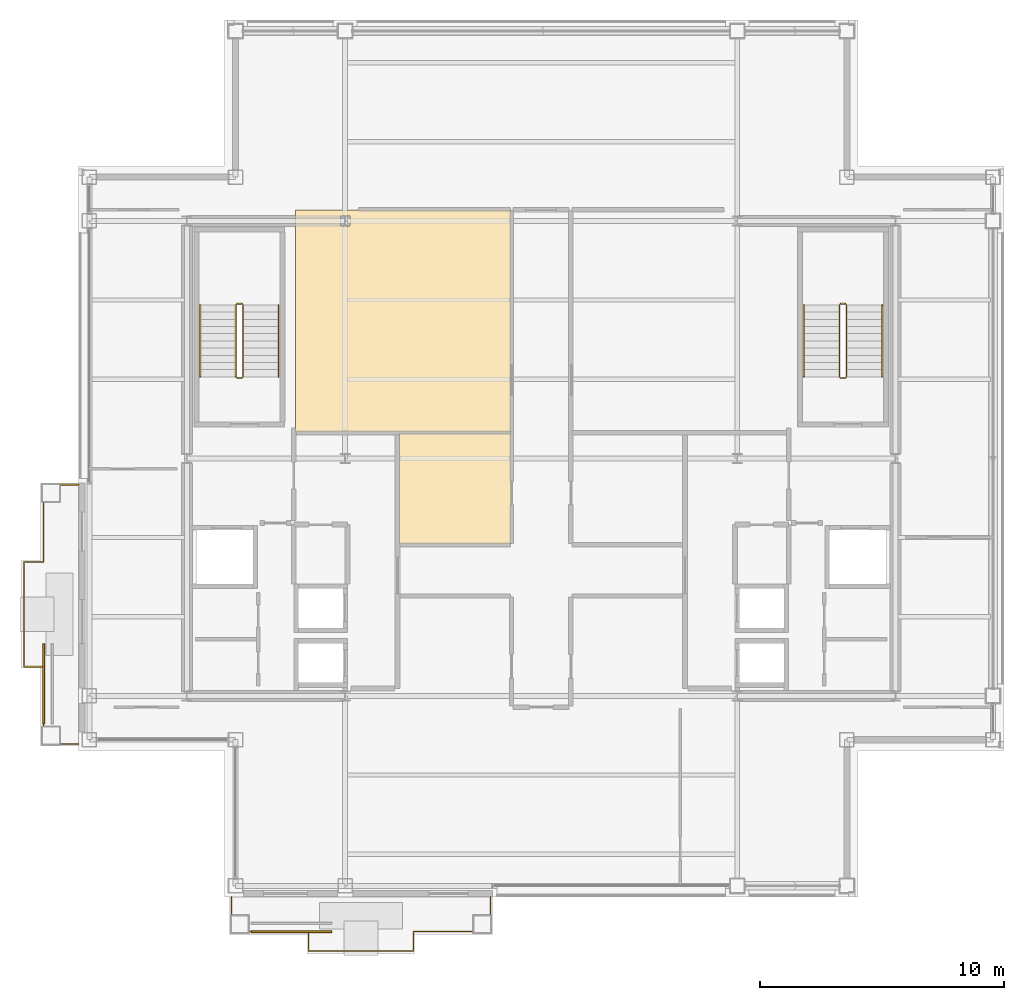
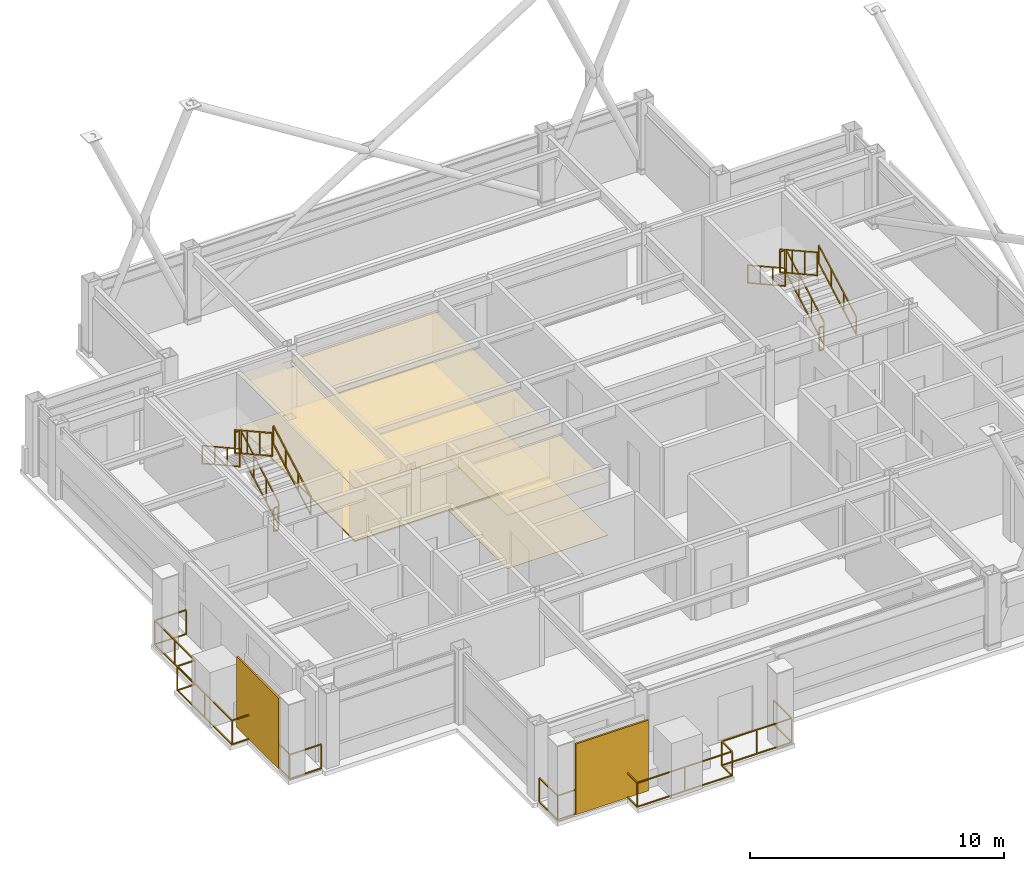
# One storey, part 26 of 27: 14 railings, 4 coverings, 2 shading devices.
"""IFC4 building model written with IfcOpenShell, lengths in metres."""

from ifc_helpers import new_model, si_unit, direction, frame, origin, origin_2d, place, context, subcontext, project, spatial, polyline, rectangle, outline, extrude, material, layer, layer_set, type_object, element, save


model = new_model("IFC4")

# Units and contexts
model_context = context("Model", 3, precision=1e-05, world=origin(), true_north=direction((0.0, 1.0)))
body_context = subcontext(model_context, "Body", "Model", "MODEL_VIEW")
ifc_project = project(units=[si_unit("LENGTHUNIT", "METRE"), si_unit("AREAUNIT", "SQUARE_METRE"), si_unit("VOLUMEUNIT", "CUBIC_METRE"), si_unit("PLANEANGLEUNIT", "RADIAN"), si_unit("MASSUNIT", "GRAM", prefix="KILO")], contexts=[model_context])

# Site, building, storey
site_placement = place(None, origin())
site = spatial("IfcSite", under=ifc_project, at=site_placement, CompositionType="ELEMENT")
building_placement = place(site_placement, origin())
building = spatial("IfcBuilding", under=site, at=building_placement, Name="Brelmoor Portico Tower", CompositionType="ELEMENT")
storey_placement = place(building_placement, frame((0.0, 0.0, 258.0)))
storey = spatial("IfcBuildingStorey", under=building, at=storey_placement, Name="L68", CompositionType="ELEMENT", Elevation=258.0)

# Coverings
ifc_material_1 = material(Name="Perforated Mineral-Fibre Acoustic Ceiling Tile", Category="gypsum")
ifc_layer_1 = layer(ifc_material_1, 0.02490234375)
ifc_layer_set_1 = layer_set([ifc_layer_1], Name="Perforated Mineral-Fibre Acoustic Ceiling Tile")
covering_type_1 = type_object("IfcCoveringType", Name="CV-CEIL-GYPSUM-25", PredefinedType="CEILING", material=ifc_layer_set_1)
covering_1_placement = place(storey_placement, frame((0.0, 0.0, 2.550048828125)))
element("IfcCovering", 1, at=covering_1_placement, inside=storey, type_object=covering_type_1, Name="L68 Acoustic Suspended Ceiling 01", PredefinedType="CEILING", context=body_context, shape_type="SweptSolid", body=[
    extrude(outline(polyline([(-10.080078125, 10.18994140625), (-8.5, 10.18994140625), (-8.5, 10.199951171875), (-7.60009765625, 10.199951171875), (-7.60009765625, 10.18994140625), (-1.239990234375, 10.18994140625), (-1.239990234375, 1.090087890625), (-10.080078125, 1.090087890625), (-10.080078125, 10.18994140625)]), holes=[polyline([(-7.85009765625, 9.550048828125), (-7.85009765625, 9.949951171875), (-8.25, 9.949951171875), (-8.25, 9.550048828125), (-7.85009765625, 9.550048828125)])]), origin(), (0.0, 0.0, 1.0), 0.02490234375),
])
ifc_material_2 = material(Name="Micro-Perforated Aluminium Clip-In Ceiling", Category="aluminium")
ifc_layer_2 = layer(ifc_material_2, 0.031982421875)
ifc_layer_set_2 = layer_set([ifc_layer_2], Name="Micro-Perforated Aluminium Clip-In Ceiling")
covering_type_2 = type_object("IfcCoveringType", Name="CV-CEIL-METAL-32", PredefinedType="CEILING", material=ifc_layer_set_2)
covering_2_placement = place(storey_placement, frame((0.0, 0.0, 2.550048828125)))
element("IfcCovering", 2, at=covering_2_placement, inside=storey, type_object=covering_type_2, Name="L68 Acoustic Suspended Ceiling 02", PredefinedType="CEILING", context=body_context, shape_type="SweptSolid", body=[
    extrude(outline(polyline([(-5.820068359375, -3.510009765625), (-5.820068359375, 1.0400390625), (-1.239990234375, 1.0400390625), (-1.239990234375, -3.510009765625), (-5.820068359375, -3.510009765625)])), origin(), (0.0, 0.0, 1.0), 0.031982421875),
])
ifc_material_3 = material(Name="Calcium-Sulphate Raised Access Floor Panel", Category="steel")
ifc_layer_3 = layer(ifc_material_3, 0.06005859375)
ifc_layer_set_3 = layer_set([ifc_layer_3], Name="Calcium-Sulphate Raised Access Floor Panel")
covering_type_3 = type_object("IfcCoveringType", Name="CV-FLR-ACCESS-60", PredefinedType="FLOORING", material=ifc_layer_set_3)
covering_3_placement = place(storey_placement, origin())
element("IfcCovering", 3, at=covering_3_placement, inside=storey, type_object=covering_type_3, Name="L68 Architectural Floor Finish 01", PredefinedType="FLOORING", context=body_context, shape_type="SweptSolid", body=[
    extrude(outline(polyline([(-10.080078125, 10.18994140625), (-8.5, 10.18994140625), (-8.5, 10.199951171875), (-7.60009765625, 10.199951171875), (-7.60009765625, 10.18994140625), (-1.239990234375, 10.18994140625), (-1.239990234375, 1.090087890625), (-10.080078125, 1.090087890625), (-10.080078125, 10.18994140625)]), holes=[polyline([(-7.85009765625, 9.550048828125), (-7.85009765625, 9.949951171875), (-8.25, 9.949951171875), (-8.25, 9.550048828125), (-7.85009765625, 9.550048828125)])]), origin(), (0.0, 0.0, 1.0), 0.06005859375),
])
ifc_material_4 = material(Name="Solution-Dyed Nylon Acoustic Carpet Tile", Category="textile")
ifc_layer_4 = layer(ifc_material_4, 0.013916015625)
ifc_layer_set_4 = layer_set([ifc_layer_4], Name="Solution-Dyed Nylon Acoustic Carpet Tile")
covering_type_4 = type_object("IfcCoveringType", Name="CV-FLR-CARPET-14", PredefinedType="FLOORING", material=ifc_layer_set_4)
covering_4_placement = place(storey_placement, origin())
element("IfcCovering", 4, at=covering_4_placement, inside=storey, type_object=covering_type_4, Name="L68 Architectural Floor Finish 02", PredefinedType="FLOORING", context=body_context, shape_type="SweptSolid", body=[
    extrude(outline(polyline([(-5.820068359375, -3.510009765625), (-5.820068359375, 1.0400390625), (-1.239990234375, 1.0400390625), (-1.239990234375, -3.510009765625), (-5.820068359375, -3.510009765625)])), origin(), (0.0, 0.0, 1.0), 0.013916015625),
])

# Railings
ifc_material_5 = material(Name="Perforated Pale Champagne Aluminium Fretwork Guard", Category="aluminium")
railing_type_1 = type_object("IfcRailingType", Name="RL-BALUSTRADE-1200", PredefinedType="BALUSTRADE", material=ifc_material_5)
railing_1_placement = place(storey_placement, frame((-12.719970703125, -18.0, 0.0)))
element("IfcRailing", 5, at=railing_1_placement, inside=storey, type_object=railing_type_1, Name="L68 Tree Balcony Fretwork Balustrade S", PredefinedType="BALUSTRADE", context=body_context, shape_type="SweptSolid", body=[
    extrude(rectangle(XDim=0.048095703125, YDim=0.048095703125, at=origin_2d()), frame((0.0, 0.0, 1.17578125), z_axis=(0.0, -1.0, 0.0), x_axis=(1.0, 0.0, 0.0)), (0.0, 0.0, 1.0), 1.429931640625),
    extrude(rectangle(XDim=0.048095703125, YDim=0.048095703125, at=origin_2d()), frame((0.0, 0.0, 0.02392578125), z_axis=(0.0, -1.0, 0.0), x_axis=(1.0, 0.0, 0.0)), (0.0, 0.0, 1.0), 1.429931640625),
    extrude(rectangle(XDim=0.048095703125, YDim=0.048095703125, at=origin_2d()), frame((0.0, -1.429931640625, 1.17578125), z_axis=(1.0, 0.0, 0.0), x_axis=(0.0, 1.0, 0.0)), (0.0, 0.0, 1.0), 3.169921875),
    extrude(rectangle(XDim=0.048095703125, YDim=0.048095703125, at=origin_2d()), frame((0.0, -1.429931640625, 0.02392578125), z_axis=(1.0, 0.0, 0.0), x_axis=(0.0, 1.0, 0.0)), (0.0, 0.0, 1.0), 3.169921875),
    extrude(rectangle(XDim=0.048095703125, YDim=0.048095703125, at=origin_2d()), frame((3.169921875, -1.429931640625, 1.17578125), z_axis=(0.0, -1.0, 0.0), x_axis=(1.0, 0.0, 0.0)), (0.0, 0.0, 1.0), 0.800048828125),
    extrude(rectangle(XDim=0.048095703125, YDim=0.048095703125, at=origin_2d()), frame((3.169921875, -1.429931640625, 0.02392578125), z_axis=(0.0, -1.0, 0.0), x_axis=(1.0, 0.0, 0.0)), (0.0, 0.0, 1.0), 0.800048828125),
    extrude(rectangle(XDim=0.048095703125, YDim=0.048095703125, at=origin_2d()), frame((3.169921875, -2.22998046875, 1.17578125), z_axis=(1.0, 0.0, 0.0), x_axis=(0.0, 1.0, 0.0)), (0.0, 0.0, 1.0), 4.300048828125),
    extrude(rectangle(XDim=0.048095703125, YDim=0.048095703125, at=origin_2d()), frame((3.169921875, -2.22998046875, 0.02392578125), z_axis=(1.0, 0.0, 0.0), x_axis=(0.0, 1.0, 0.0)), (0.0, 0.0, 1.0), 4.300048828125),
    extrude(rectangle(XDim=0.048095703125, YDim=0.048095703125, at=origin_2d()), frame((7.469970703125, -2.22998046875, 1.17578125), z_axis=(0.0, 1.0, 0.0), x_axis=(-1.0, 0.0, 0.0)), (0.0, 0.0, 1.0), 0.800048828125),
    extrude(rectangle(XDim=0.048095703125, YDim=0.048095703125, at=origin_2d()), frame((7.469970703125, -2.22998046875, 0.02392578125), z_axis=(0.0, 1.0, 0.0), x_axis=(-1.0, 0.0, 0.0)), (0.0, 0.0, 1.0), 0.800048828125),
    extrude(rectangle(XDim=0.048095703125, YDim=0.048095703125, at=origin_2d()), frame((7.469970703125, -1.429931640625, 1.17578125), z_axis=(1.0, 0.0, 0.0), x_axis=(0.0, 1.0, 0.0)), (0.0, 0.0, 1.0), 3.169921875),
    extrude(rectangle(XDim=0.048095703125, YDim=0.048095703125, at=origin_2d()), frame((7.469970703125, -1.429931640625, 0.02392578125), z_axis=(1.0, 0.0, 0.0), x_axis=(0.0, 1.0, 0.0)), (0.0, 0.0, 1.0), 3.169921875),
    extrude(rectangle(XDim=0.048095703125, YDim=0.048095703125, at=origin_2d()), frame((10.639892578125, -1.429931640625, 1.17578125), z_axis=(0.0, 1.0, 0.0), x_axis=(-1.0, 0.0, 0.0)), (0.0, 0.0, 1.0), 1.429931640625),
    extrude(rectangle(XDim=0.048095703125, YDim=0.048095703125, at=origin_2d()), frame((10.639892578125, -1.429931640625, 0.02392578125), z_axis=(0.0, 1.0, 0.0), x_axis=(-1.0, 0.0, 0.0)), (0.0, 0.0, 1.0), 1.429931640625),
    extrude(rectangle(XDim=0.0419921875, YDim=0.0419921875, at=origin_2d()), origin(), (0.0, 0.0, 1.0), 1.15185546875),
    extrude(rectangle(XDim=0.0419921875, YDim=0.0419921875, at=origin_2d()), frame((0.0, -1.429931640625, 0.0)), (0.0, 0.0, 1.0), 1.15185546875),
    extrude(rectangle(XDim=0.0419921875, YDim=0.0419921875, at=origin_2d()), frame((1.5849609375, -1.429931640625, 0.0)), (0.0, 0.0, 1.0), 1.15185546875),
    extrude(rectangle(XDim=0.0419921875, YDim=0.0419921875, at=origin_2d()), frame((3.169921875, -1.429931640625, 0.0)), (0.0, 0.0, 1.0), 1.15185546875),
    extrude(rectangle(XDim=0.0419921875, YDim=0.0419921875, at=origin_2d()), frame((3.169921875, -2.22998046875, 0.0)), (0.0, 0.0, 1.0), 1.15185546875),
    extrude(rectangle(XDim=0.0419921875, YDim=0.0419921875, at=origin_2d()), frame((5.31982421875, -2.22998046875, 0.0)), (0.0, 0.0, 1.0), 1.15185546875),
    extrude(rectangle(XDim=0.0419921875, YDim=0.0419921875, at=origin_2d()), frame((7.469970703125, -2.22998046875, 0.0)), (0.0, 0.0, 1.0), 1.15185546875),
    extrude(rectangle(XDim=0.0419921875, YDim=0.0419921875, at=origin_2d()), frame((7.469970703125, -1.429931640625, 0.0)), (0.0, 0.0, 1.0), 1.15185546875),
    extrude(rectangle(XDim=0.0419921875, YDim=0.0419921875, at=origin_2d()), frame((9.054931640625, -1.429931640625, 0.0)), (0.0, 0.0, 1.0), 1.15185546875),
    extrude(rectangle(XDim=0.0419921875, YDim=0.0419921875, at=origin_2d()), frame((10.639892578125, -1.429931640625, 0.0)), (0.0, 0.0, 1.0), 1.15185546875),
    extrude(rectangle(XDim=0.0419921875, YDim=0.0419921875, at=origin_2d()), frame((10.639892578125, 0.0, 0.0)), (0.0, 0.0, 1.0), 1.15185546875),
])
railing_2_placement = place(storey_placement, frame((-19.0, -11.719970703125, 0.0)))
element("IfcRailing", 6, at=railing_2_placement, inside=storey, type_object=railing_type_1, Name="L68 Tree Balcony Fretwork Balustrade W", PredefinedType="BALUSTRADE", context=body_context, shape_type="SweptSolid", body=[
    extrude(rectangle(XDim=0.048095703125, YDim=0.048095703125, at=origin_2d()), frame((0.0, 0.0, 1.17578125), z_axis=(-1.0, 0.0, 0.0), x_axis=(0.0, -1.0, 0.0)), (0.0, 0.0, 1.0), 1.429931640625),
    extrude(rectangle(XDim=0.048095703125, YDim=0.048095703125, at=origin_2d()), frame((0.0, 0.0, 0.02392578125), z_axis=(-1.0, 0.0, 0.0), x_axis=(0.0, -1.0, 0.0)), (0.0, 0.0, 1.0), 1.429931640625),
    extrude(rectangle(XDim=0.048095703125, YDim=0.048095703125, at=origin_2d()), frame((-1.429931640625, 0.0, 1.17578125), z_axis=(0.0, 1.0, 0.0), x_axis=(-1.0, 0.0, 0.0)), (0.0, 0.0, 1.0), 3.169921875),
    extrude(rectangle(XDim=0.048095703125, YDim=0.048095703125, at=origin_2d()), frame((-1.429931640625, 0.0, 0.02392578125), z_axis=(0.0, 1.0, 0.0), x_axis=(-1.0, 0.0, 0.0)), (0.0, 0.0, 1.0), 3.169921875),
    extrude(rectangle(XDim=0.048095703125, YDim=0.048095703125, at=origin_2d()), frame((-1.429931640625, 3.169921875, 1.17578125), z_axis=(-1.0, 0.0, 0.0), x_axis=(0.0, -1.0, 0.0)), (0.0, 0.0, 1.0), 0.800048828125),
    extrude(rectangle(XDim=0.048095703125, YDim=0.048095703125, at=origin_2d()), frame((-1.429931640625, 3.169921875, 0.02392578125), z_axis=(-1.0, 0.0, 0.0), x_axis=(0.0, -1.0, 0.0)), (0.0, 0.0, 1.0), 0.800048828125),
    extrude(rectangle(XDim=0.048095703125, YDim=0.048095703125, at=origin_2d()), frame((-2.22998046875, 3.169921875, 1.17578125), z_axis=(0.0, 1.0, 0.0), x_axis=(-1.0, 0.0, 0.0)), (0.0, 0.0, 1.0), 4.300048828125),
    extrude(rectangle(XDim=0.048095703125, YDim=0.048095703125, at=origin_2d()), frame((-2.22998046875, 3.169921875, 0.02392578125), z_axis=(0.0, 1.0, 0.0), x_axis=(-1.0, 0.0, 0.0)), (0.0, 0.0, 1.0), 4.300048828125),
    extrude(rectangle(XDim=0.048095703125, YDim=0.048095703125, at=origin_2d()), frame((-2.22998046875, 7.469970703125, 1.17578125), z_axis=(1.0, 0.0, 0.0), x_axis=(0.0, 1.0, 0.0)), (0.0, 0.0, 1.0), 0.800048828125),
    extrude(rectangle(XDim=0.048095703125, YDim=0.048095703125, at=origin_2d()), frame((-2.22998046875, 7.469970703125, 0.02392578125), z_axis=(1.0, 0.0, 0.0), x_axis=(0.0, 1.0, 0.0)), (0.0, 0.0, 1.0), 0.800048828125),
    extrude(rectangle(XDim=0.048095703125, YDim=0.048095703125, at=origin_2d()), frame((-1.429931640625, 7.469970703125, 1.17578125), z_axis=(0.0, 1.0, 0.0), x_axis=(-1.0, 0.0, 0.0)), (0.0, 0.0, 1.0), 3.169921875),
    extrude(rectangle(XDim=0.048095703125, YDim=0.048095703125, at=origin_2d()), frame((-1.429931640625, 7.469970703125, 0.02392578125), z_axis=(0.0, 1.0, 0.0), x_axis=(-1.0, 0.0, 0.0)), (0.0, 0.0, 1.0), 3.169921875),
    extrude(rectangle(XDim=0.048095703125, YDim=0.048095703125, at=origin_2d()), frame((-1.429931640625, 10.639892578125, 1.17578125), z_axis=(1.0, 0.0, 0.0), x_axis=(0.0, 1.0, 0.0)), (0.0, 0.0, 1.0), 1.429931640625),
    extrude(rectangle(XDim=0.048095703125, YDim=0.048095703125, at=origin_2d()), frame((-1.429931640625, 10.639892578125, 0.02392578125), z_axis=(1.0, 0.0, 0.0), x_axis=(0.0, 1.0, 0.0)), (0.0, 0.0, 1.0), 1.429931640625),
    extrude(rectangle(XDim=0.0419921875, YDim=0.0419921875, at=origin_2d()), origin(), (0.0, 0.0, 1.0), 1.15185546875),
    extrude(rectangle(XDim=0.0419921875, YDim=0.0419921875, at=origin_2d()), frame((-1.429931640625, 0.0, 0.0)), (0.0, 0.0, 1.0), 1.15185546875),
    extrude(rectangle(XDim=0.0419921875, YDim=0.0419921875, at=origin_2d()), frame((-1.429931640625, 1.5849609375, 0.0)), (0.0, 0.0, 1.0), 1.15185546875),
    extrude(rectangle(XDim=0.0419921875, YDim=0.0419921875, at=origin_2d()), frame((-1.429931640625, 3.169921875, 0.0)), (0.0, 0.0, 1.0), 1.15185546875),
    extrude(rectangle(XDim=0.0419921875, YDim=0.0419921875, at=origin_2d()), frame((-2.22998046875, 3.169921875, 0.0)), (0.0, 0.0, 1.0), 1.15185546875),
    extrude(rectangle(XDim=0.0419921875, YDim=0.0419921875, at=origin_2d()), frame((-2.22998046875, 5.31982421875, 0.0)), (0.0, 0.0, 1.0), 1.15185546875),
    extrude(rectangle(XDim=0.0419921875, YDim=0.0419921875, at=origin_2d()), frame((-2.22998046875, 7.469970703125, 0.0)), (0.0, 0.0, 1.0), 1.15185546875),
    extrude(rectangle(XDim=0.0419921875, YDim=0.0419921875, at=origin_2d()), frame((-1.429931640625, 7.469970703125, 0.0)), (0.0, 0.0, 1.0), 1.15185546875),
    extrude(rectangle(XDim=0.0419921875, YDim=0.0419921875, at=origin_2d()), frame((-1.429931640625, 9.054931640625, 0.0)), (0.0, 0.0, 1.0), 1.15185546875),
    extrude(rectangle(XDim=0.0419921875, YDim=0.0419921875, at=origin_2d()), frame((-1.429931640625, 10.639892578125, 0.0)), (0.0, 0.0, 1.0), 1.15185546875),
    extrude(rectangle(XDim=0.0419921875, YDim=0.0419921875, at=origin_2d()), frame((0.0, 10.639892578125, 0.0)), (0.0, 0.0, 1.0), 1.15185546875),
])
ifc_material_6 = material(Name="Painted Tubular Steel Q235B", Category="steel")
railing_type_2 = type_object("IfcRailingType", Name="RL-STAIR-GUARD", PredefinedType="GUARDRAIL", material=ifc_material_6)
railing_3_placement = place(storey_placement, frame((-12.239990234375, 3.35009765625, 0.16357421875)))
element("IfcRailing", 7, at=railing_3_placement, inside=storey, type_object=railing_type_2, Name="L68 ST-W stair guard 1", PredefinedType="GUARDRAIL", context=body_context, shape_type="SweptSolid", body=[
    extrude(rectangle(XDim=0.048095703125, YDim=0.048095703125, at=origin_2d()), frame((0.0, 0.0, 1.1259765625), z_axis=(0.0, 0.874457516365, 0.485102104791), x_axis=(-1.0, 0.0, 0.0)), (0.0, 0.0, 1.0), 3.37353515625),
    extrude(rectangle(XDim=0.048095703125, YDim=0.048095703125, at=origin_2d()), frame((0.0, 0.0, 0.02392578125), z_axis=(0.0, 0.874457516365, 0.485102104791), x_axis=(-1.0, 0.0, 0.0)), (0.0, 0.0, 1.0), 3.37353515625),
    extrude(rectangle(XDim=0.0419921875, YDim=0.0419921875, at=origin_2d()), origin(), (0.0, 0.0, 1.0), 1.101806640625),
    extrude(rectangle(XDim=0.0419921875, YDim=0.0419921875, at=origin_2d()), frame((0.0, 0.9833984375, 0.54541015625)), (0.0, 0.0, 1.0), 1.101806640625),
    extrude(rectangle(XDim=0.0419921875, YDim=0.0419921875, at=origin_2d()), frame((0.0, 1.966552734375, 1.091064453125)), (0.0, 0.0, 1.0), 1.101806640625),
    extrude(rectangle(XDim=0.0419921875, YDim=0.0419921875, at=origin_2d()), frame((0.0, 2.949951171875, 1.636474609375)), (0.0, 0.0, 1.0), 1.101806640625),
])
railing_4_placement = place(storey_placement, frame((-12.2900390625, 6.35009765625, 1.800048828125)))
element("IfcRailing", 8, at=railing_4_placement, inside=storey, type_object=railing_type_2, Name="L68 ST-W stair guard 2", PredefinedType="GUARDRAIL", context=body_context, shape_type="SweptSolid", body=[
    extrude(rectangle(XDim=0.048095703125, YDim=0.048095703125, at=origin_2d()), frame((0.0, 0.0, 1.1259765625), z_axis=(-1.0, 0.0, 0.0), x_axis=(0.0, -1.0, 0.0)), (0.0, 0.0, 1.0), 0.199951171875),
    extrude(rectangle(XDim=0.048095703125, YDim=0.048095703125, at=origin_2d()), frame((0.0, 0.0, 0.02392578125), z_axis=(-1.0, 0.0, 0.0), x_axis=(0.0, -1.0, 0.0)), (0.0, 0.0, 1.0), 0.199951171875),
    extrude(rectangle(XDim=0.0419921875, YDim=0.0419921875, at=origin_2d()), origin(), (0.0, 0.0, 1.0), 1.101806640625),
    extrude(rectangle(XDim=0.0419921875, YDim=0.0419921875, at=origin_2d()), frame((-0.199951171875, 0.0, 0.0)), (0.0, 0.0, 1.0), 1.101806640625),
])
railing_5_placement = place(storey_placement, frame((-12.5400390625, 6.300048828125, 1.963623046875)))
element("IfcRailing", 9, at=railing_5_placement, inside=storey, type_object=railing_type_2, Name="L68 ST-W stair guard 3", PredefinedType="GUARDRAIL", context=body_context, shape_type="SweptSolid", body=[
    extrude(rectangle(XDim=0.048095703125, YDim=0.048095703125, at=origin_2d()), frame((0.0, 0.0, 1.1259765625), z_axis=(0.0, -0.874457516365, 0.485102104791), x_axis=(1.0, 0.0, 0.0)), (0.0, 0.0, 1.0), 3.37353515625),
    extrude(rectangle(XDim=0.048095703125, YDim=0.048095703125, at=origin_2d()), frame((0.0, 0.0, 0.02392578125), z_axis=(0.0, -0.874457516365, 0.485102104791), x_axis=(1.0, 0.0, 0.0)), (0.0, 0.0, 1.0), 3.37353515625),
    extrude(rectangle(XDim=0.0419921875, YDim=0.0419921875, at=origin_2d()), origin(), (0.0, 0.0, 1.0), 1.101806640625),
    extrude(rectangle(XDim=0.0419921875, YDim=0.0419921875, at=origin_2d()), frame((0.0, -0.9833984375, 0.54541015625)), (0.0, 0.0, 1.0), 1.101806640625),
    extrude(rectangle(XDim=0.0419921875, YDim=0.0419921875, at=origin_2d()), frame((0.0, -1.966552734375, 1.091064453125)), (0.0, 0.0, 1.0), 1.101806640625),
    extrude(rectangle(XDim=0.0419921875, YDim=0.0419921875, at=origin_2d()), frame((0.0, -2.949951171875, 1.636474609375)), (0.0, 0.0, 1.0), 1.101806640625),
])
railing_6_placement = place(storey_placement, frame((-12.2900390625, 3.300048828125, 0.0)))
element("IfcRailing", 10, at=railing_6_placement, inside=storey, type_object=railing_type_2, Name="L68 ST-W stair guard 4", PredefinedType="GUARDRAIL", context=body_context, shape_type="SweptSolid", body=[
    extrude(rectangle(XDim=0.048095703125, YDim=0.048095703125, at=origin_2d()), frame((0.0, 0.0, 1.1259765625), z_axis=(-1.0, 0.0, 0.0), x_axis=(0.0, -1.0, 0.0)), (0.0, 0.0, 1.0), 0.199951171875),
    extrude(rectangle(XDim=0.048095703125, YDim=0.048095703125, at=origin_2d()), frame((0.0, 0.0, 0.02392578125), z_axis=(-1.0, 0.0, 0.0), x_axis=(0.0, -1.0, 0.0)), (0.0, 0.0, 1.0), 0.199951171875),
    extrude(rectangle(XDim=0.0419921875, YDim=0.0419921875, at=origin_2d()), origin(), (0.0, 0.0, 1.0), 1.101806640625),
    extrude(rectangle(XDim=0.0419921875, YDim=0.0419921875, at=origin_2d()), frame((-0.199951171875, 0.0, 0.0)), (0.0, 0.0, 1.0), 1.101806640625),
])
railing_7_placement = place(storey_placement, frame((12.5400390625, 3.35009765625, 0.16357421875)))
element("IfcRailing", 11, at=railing_7_placement, inside=storey, type_object=railing_type_2, Name="L68 ST-E stair guard 1", PredefinedType="GUARDRAIL", context=body_context, shape_type="SweptSolid", body=[
    extrude(rectangle(XDim=0.048095703125, YDim=0.048095703125, at=origin_2d()), frame((0.0, 0.0, 1.1259765625), z_axis=(0.0, 0.874457516365, 0.485102104791), x_axis=(-1.0, 0.0, 0.0)), (0.0, 0.0, 1.0), 3.37353515625),
    extrude(rectangle(XDim=0.048095703125, YDim=0.048095703125, at=origin_2d()), frame((0.0, 0.0, 0.02392578125), z_axis=(0.0, 0.874457516365, 0.485102104791), x_axis=(-1.0, 0.0, 0.0)), (0.0, 0.0, 1.0), 3.37353515625),
    extrude(rectangle(XDim=0.0419921875, YDim=0.0419921875, at=origin_2d()), origin(), (0.0, 0.0, 1.0), 1.101806640625),
    extrude(rectangle(XDim=0.0419921875, YDim=0.0419921875, at=origin_2d()), frame((0.0, 0.9833984375, 0.54541015625)), (0.0, 0.0, 1.0), 1.101806640625),
    extrude(rectangle(XDim=0.0419921875, YDim=0.0419921875, at=origin_2d()), frame((0.0, 1.966552734375, 1.091064453125)), (0.0, 0.0, 1.0), 1.101806640625),
    extrude(rectangle(XDim=0.0419921875, YDim=0.0419921875, at=origin_2d()), frame((0.0, 2.949951171875, 1.636474609375)), (0.0, 0.0, 1.0), 1.101806640625),
])
railing_8_placement = place(storey_placement, frame((12.489990234375, 6.35009765625, 1.800048828125)))
element("IfcRailing", 12, at=railing_8_placement, inside=storey, type_object=railing_type_2, Name="L68 ST-E stair guard 2", PredefinedType="GUARDRAIL", context=body_context, shape_type="SweptSolid", body=[
    extrude(rectangle(XDim=0.048095703125, YDim=0.048095703125, at=origin_2d()), frame((0.0, 0.0, 1.1259765625), z_axis=(-1.0, 0.0, 0.0), x_axis=(0.0, -1.0, 0.0)), (0.0, 0.0, 1.0), 0.199951171875),
    extrude(rectangle(XDim=0.048095703125, YDim=0.048095703125, at=origin_2d()), frame((0.0, 0.0, 0.02392578125), z_axis=(-1.0, 0.0, 0.0), x_axis=(0.0, -1.0, 0.0)), (0.0, 0.0, 1.0), 0.199951171875),
    extrude(rectangle(XDim=0.0419921875, YDim=0.0419921875, at=origin_2d()), origin(), (0.0, 0.0, 1.0), 1.101806640625),
    extrude(rectangle(XDim=0.0419921875, YDim=0.0419921875, at=origin_2d()), frame((-0.199951171875, 0.0, 0.0)), (0.0, 0.0, 1.0), 1.101806640625),
])
railing_9_placement = place(storey_placement, frame((12.239990234375, 6.300048828125, 1.963623046875)))
element("IfcRailing", 13, at=railing_9_placement, inside=storey, type_object=railing_type_2, Name="L68 ST-E stair guard 3", PredefinedType="GUARDRAIL", context=body_context, shape_type="SweptSolid", body=[
    extrude(rectangle(XDim=0.048095703125, YDim=0.048095703125, at=origin_2d()), frame((0.0, 0.0, 1.1259765625), z_axis=(0.0, -0.874457516365, 0.485102104791), x_axis=(1.0, 0.0, 0.0)), (0.0, 0.0, 1.0), 3.37353515625),
    extrude(rectangle(XDim=0.048095703125, YDim=0.048095703125, at=origin_2d()), frame((0.0, 0.0, 0.02392578125), z_axis=(0.0, -0.874457516365, 0.485102104791), x_axis=(1.0, 0.0, 0.0)), (0.0, 0.0, 1.0), 3.37353515625),
    extrude(rectangle(XDim=0.0419921875, YDim=0.0419921875, at=origin_2d()), origin(), (0.0, 0.0, 1.0), 1.101806640625),
    extrude(rectangle(XDim=0.0419921875, YDim=0.0419921875, at=origin_2d()), frame((0.0, -0.9833984375, 0.54541015625)), (0.0, 0.0, 1.0), 1.101806640625),
    extrude(rectangle(XDim=0.0419921875, YDim=0.0419921875, at=origin_2d()), frame((0.0, -1.966552734375, 1.091064453125)), (0.0, 0.0, 1.0), 1.101806640625),
    extrude(rectangle(XDim=0.0419921875, YDim=0.0419921875, at=origin_2d()), frame((0.0, -2.949951171875, 1.636474609375)), (0.0, 0.0, 1.0), 1.101806640625),
])
railing_10_placement = place(storey_placement, frame((12.489990234375, 3.300048828125, 0.0)))
element("IfcRailing", 14, at=railing_10_placement, inside=storey, type_object=railing_type_2, Name="L68 ST-E stair guard 4", PredefinedType="GUARDRAIL", context=body_context, shape_type="SweptSolid", body=[
    extrude(rectangle(XDim=0.048095703125, YDim=0.048095703125, at=origin_2d()), frame((0.0, 0.0, 1.1259765625), z_axis=(-1.0, 0.0, 0.0), x_axis=(0.0, -1.0, 0.0)), (0.0, 0.0, 1.0), 0.199951171875),
    extrude(rectangle(XDim=0.048095703125, YDim=0.048095703125, at=origin_2d()), frame((0.0, 0.0, 0.02392578125), z_axis=(-1.0, 0.0, 0.0), x_axis=(0.0, -1.0, 0.0)), (0.0, 0.0, 1.0), 0.199951171875),
    extrude(rectangle(XDim=0.0419921875, YDim=0.0419921875, at=origin_2d()), origin(), (0.0, 0.0, 1.0), 1.101806640625),
    extrude(rectangle(XDim=0.0419921875, YDim=0.0419921875, at=origin_2d()), frame((-0.199951171875, 0.0, 0.0)), (0.0, 0.0, 1.0), 1.101806640625),
])
ifc_material_7 = material(Name="Brushed Stainless Steel 304", Category="steel")
railing_type_3 = type_object("IfcRailingType", Name="RL-STAIR-HANDRAIL", PredefinedType="HANDRAIL", material=ifc_material_7)
railing_11_placement = place(storey_placement, frame((-10.780029296875, 3.35009765625, 0.16357421875)))
element("IfcRailing", 15, at=railing_11_placement, inside=storey, type_object=railing_type_3, Name="L68 ST-W stair handrail 1", PredefinedType="HANDRAIL", context=body_context, shape_type="SweptSolid", body=[
    extrude(rectangle(XDim=0.048095703125, YDim=0.048095703125, at=origin_2d()), frame((0.0, 0.0, 0.8759765625), z_axis=(0.0, 0.874457516365, 0.485102104791), x_axis=(-1.0, 0.0, 0.0)), (0.0, 0.0, 1.0), 3.37353515625),
    extrude(rectangle(XDim=0.048095703125, YDim=0.048095703125, at=origin_2d()), frame((0.0, 0.0, 0.02392578125), z_axis=(0.0, 0.874457516365, 0.485102104791), x_axis=(-1.0, 0.0, 0.0)), (0.0, 0.0, 1.0), 3.37353515625),
    extrude(rectangle(XDim=0.0419921875, YDim=0.0419921875, at=origin_2d()), origin(), (0.0, 0.0, 1.0), 0.851806640625),
    extrude(rectangle(XDim=0.0419921875, YDim=0.0419921875, at=origin_2d()), frame((0.0, 0.9833984375, 0.54541015625)), (0.0, 0.0, 1.0), 0.851806640625),
    extrude(rectangle(XDim=0.0419921875, YDim=0.0419921875, at=origin_2d()), frame((0.0, 1.966552734375, 1.091064453125)), (0.0, 0.0, 1.0), 0.851806640625),
    extrude(rectangle(XDim=0.0419921875, YDim=0.0419921875, at=origin_2d()), frame((0.0, 2.949951171875, 1.636474609375)), (0.0, 0.0, 1.0), 0.851806640625),
])
railing_12_placement = place(storey_placement, frame((-14.0, 6.300048828125, 1.963623046875)))
element("IfcRailing", 16, at=railing_12_placement, inside=storey, type_object=railing_type_3, Name="L68 ST-W stair handrail 2", PredefinedType="HANDRAIL", context=body_context, shape_type="SweptSolid", body=[
    extrude(rectangle(XDim=0.048095703125, YDim=0.048095703125, at=origin_2d()), frame((0.0, 0.0, 0.8759765625), z_axis=(0.0, -0.874457516365, 0.485102104791), x_axis=(1.0, 0.0, 0.0)), (0.0, 0.0, 1.0), 3.37353515625),
    extrude(rectangle(XDim=0.048095703125, YDim=0.048095703125, at=origin_2d()), frame((0.0, 0.0, 0.02392578125), z_axis=(0.0, -0.874457516365, 0.485102104791), x_axis=(1.0, 0.0, 0.0)), (0.0, 0.0, 1.0), 3.37353515625),
    extrude(rectangle(XDim=0.0419921875, YDim=0.0419921875, at=origin_2d()), origin(), (0.0, 0.0, 1.0), 0.851806640625),
    extrude(rectangle(XDim=0.0419921875, YDim=0.0419921875, at=origin_2d()), frame((0.0, -0.9833984375, 0.54541015625)), (0.0, 0.0, 1.0), 0.851806640625),
    extrude(rectangle(XDim=0.0419921875, YDim=0.0419921875, at=origin_2d()), frame((0.0, -1.966552734375, 1.091064453125)), (0.0, 0.0, 1.0), 0.851806640625),
    extrude(rectangle(XDim=0.0419921875, YDim=0.0419921875, at=origin_2d()), frame((0.0, -2.949951171875, 1.636474609375)), (0.0, 0.0, 1.0), 0.851806640625),
])
railing_13_placement = place(storey_placement, frame((14.0, 3.35009765625, 0.16357421875)))
element("IfcRailing", 17, at=railing_13_placement, inside=storey, type_object=railing_type_3, Name="L68 ST-E stair handrail 1", PredefinedType="HANDRAIL", context=body_context, shape_type="SweptSolid", body=[
    extrude(rectangle(XDim=0.048095703125, YDim=0.048095703125, at=origin_2d()), frame((0.0, 0.0, 0.8759765625), z_axis=(0.0, 0.874457516365, 0.485102104791), x_axis=(-1.0, 0.0, 0.0)), (0.0, 0.0, 1.0), 3.37353515625),
    extrude(rectangle(XDim=0.048095703125, YDim=0.048095703125, at=origin_2d()), frame((0.0, 0.0, 0.02392578125), z_axis=(0.0, 0.874457516365, 0.485102104791), x_axis=(-1.0, 0.0, 0.0)), (0.0, 0.0, 1.0), 3.37353515625),
    extrude(rectangle(XDim=0.0419921875, YDim=0.0419921875, at=origin_2d()), origin(), (0.0, 0.0, 1.0), 0.851806640625),
    extrude(rectangle(XDim=0.0419921875, YDim=0.0419921875, at=origin_2d()), frame((0.0, 0.9833984375, 0.54541015625)), (0.0, 0.0, 1.0), 0.851806640625),
    extrude(rectangle(XDim=0.0419921875, YDim=0.0419921875, at=origin_2d()), frame((0.0, 1.966552734375, 1.091064453125)), (0.0, 0.0, 1.0), 0.851806640625),
    extrude(rectangle(XDim=0.0419921875, YDim=0.0419921875, at=origin_2d()), frame((0.0, 2.949951171875, 1.636474609375)), (0.0, 0.0, 1.0), 0.851806640625),
])
railing_14_placement = place(storey_placement, frame((10.780029296875, 6.300048828125, 1.963623046875)))
element("IfcRailing", 18, at=railing_14_placement, inside=storey, type_object=railing_type_3, Name="L68 ST-E stair handrail 2", PredefinedType="HANDRAIL", context=body_context, shape_type="SweptSolid", body=[
    extrude(rectangle(XDim=0.048095703125, YDim=0.048095703125, at=origin_2d()), frame((0.0, 0.0, 0.8759765625), z_axis=(0.0, -0.874457516365, 0.485102104791), x_axis=(1.0, 0.0, 0.0)), (0.0, 0.0, 1.0), 3.37353515625),
    extrude(rectangle(XDim=0.048095703125, YDim=0.048095703125, at=origin_2d()), frame((0.0, 0.0, 0.02392578125), z_axis=(0.0, -0.874457516365, 0.485102104791), x_axis=(1.0, 0.0, 0.0)), (0.0, 0.0, 1.0), 3.37353515625),
    extrude(rectangle(XDim=0.0419921875, YDim=0.0419921875, at=origin_2d()), origin(), (0.0, 0.0, 1.0), 0.851806640625),
    extrude(rectangle(XDim=0.0419921875, YDim=0.0419921875, at=origin_2d()), frame((0.0, -0.9833984375, 0.54541015625)), (0.0, 0.0, 1.0), 0.851806640625),
    extrude(rectangle(XDim=0.0419921875, YDim=0.0419921875, at=origin_2d()), frame((0.0, -1.966552734375, 1.091064453125)), (0.0, 0.0, 1.0), 0.851806640625),
    extrude(rectangle(XDim=0.0419921875, YDim=0.0419921875, at=origin_2d()), frame((0.0, -2.949951171875, 1.636474609375)), (0.0, 0.0, 1.0), 0.851806640625),
])

# Shading devices
ifc_material_8 = material(Name="Powder-Coated Aluminium Shuttered Jalousie", Category="aluminium")
ifc_layer_5 = layer(ifc_material_8, 0.080078125)
ifc_layer_set_5 = layer_set([ifc_layer_5], Name="Powder-Coated Aluminium Shuttered Jalousie")
shading_device_type = type_object("IfcShadingDeviceType", Name="SD-JALOUSIE-LOGGIA", PredefinedType="JALOUSIE", material=ifc_layer_set_5)
for number, where, z_axis, x_axis, name in (
    (19, (-10.25, -19.429931640625, 0.0), (0.0, 0.0, 1.0), (1.0, 0.0, 0.0), "L68 Loggia Shuttered Jalousie S"),
    (20, (-20.429931640625, -9.25, 0.0), (0.0, 0.0, 1.0), (0.0, 1.0, 0.0), "L68 Loggia Shuttered Jalousie W"),
):
    element("IfcShadingDevice", number, at=place(storey_placement, frame(where, z_axis=z_axis, x_axis=x_axis)), inside=storey, type_object=shading_device_type, Name=name, PredefinedType="JALOUSIE", context=body_context, shape_type="SweptSolid", body=[
        extrude(rectangle(XDim=3.300048828125, YDim=0.080078125, at=origin_2d()), origin(), (0.0, 0.0, 1.0), 3.39990234375),
    ])

save(model, "model.ifc")
